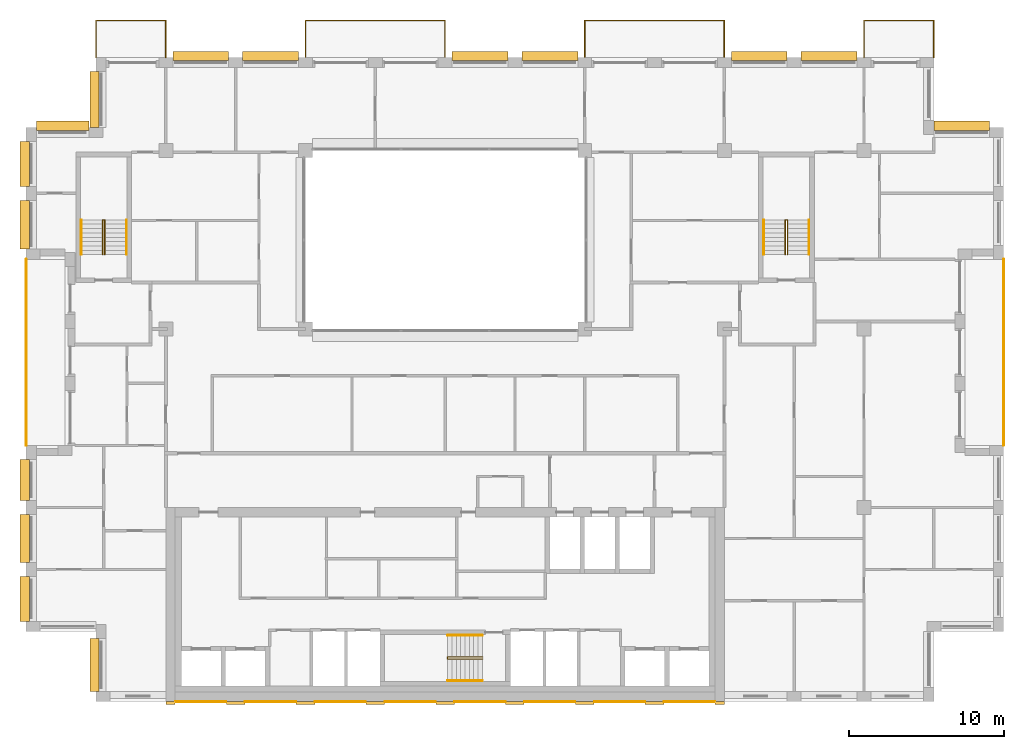
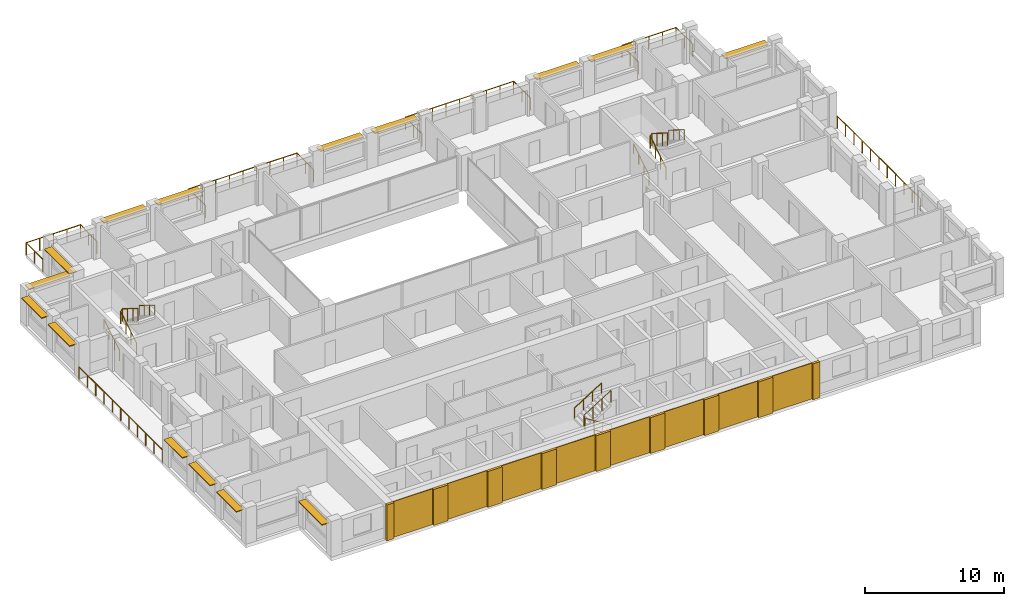
# One storey, part 15 of 15: 17 coverings, 15 railings, 15 shading devices.
"""IFC4 building model written with IfcOpenShell, lengths in metres."""

from ifc_helpers import new_model, si_unit, direction, frame, origin, origin_2d, place, context, subcontext, project, spatial, rectangle, circle, extrude, material, layer, layer_set, type_object, element, save


model = new_model("IFC4")

# Units and contexts
model_context = context("Model", 3, precision=1e-05, world=origin(), true_north=direction((0.0, 1.0)))
body_context = subcontext(model_context, "Body", "Model", "MODEL_VIEW")
ifc_project = project(units=[si_unit("LENGTHUNIT", "METRE"), si_unit("AREAUNIT", "SQUARE_METRE"), si_unit("VOLUMEUNIT", "CUBIC_METRE"), si_unit("PLANEANGLEUNIT", "RADIAN"), si_unit("MASSUNIT", "GRAM", prefix="KILO")], contexts=[model_context])

# Site, building, storey
site_placement = place(None, origin())
site = spatial("IfcSite", under=ifc_project, at=site_placement, CompositionType="ELEMENT")
building_placement = place(site_placement, origin())
building = spatial("IfcBuilding", under=site, at=building_placement, Name="Brigalow Station Residences", CompositionType="ELEMENT")
storey_placement = place(building_placement, frame((0.0, 0.0, 223.199951171875)))
storey = spatial("IfcBuildingStorey", under=building, at=storey_placement, Name="L64", CompositionType="ELEMENT", Elevation=223.199951171875)

# Railings
ifc_material_1 = material(Name="Stainless steel balustrade with laminated glass infill", Category="steel")
railing_type_1 = type_object("IfcRailingType", Name="BALCONY GUARD 1100", PredefinedType="GUARDRAIL", material=ifc_material_1)
railing_1_placement = place(storey_placement, frame((72.0, 16.5, -0.0400390625)))
element("IfcRailing", 1, at=railing_1_placement, inside=storey, type_object=railing_type_1, Name="L64/balcony-guard/1", PredefinedType="GUARDRAIL", context=body_context, shape_type="SweptSolid", body=[
    extrude(circle(Radius=0.02392578125, at=origin_2d()), frame((0.0, 0.0, 1.076171875), z_axis=(0.0, 1.0, 0.0), x_axis=(-1.0, 0.0, 0.0)), (0.0, 0.0, 1.0), 12.0),
    extrude(circle(Radius=0.02099609375, at=origin_2d()), origin(), (0.0, 0.0, 1.0), 1.052001953125),
    extrude(circle(Radius=0.02099609375, at=origin_2d()), frame((0.0, 1.199951171875, 0.0)), (0.0, 0.0, 1.0), 1.052001953125),
    extrude(circle(Radius=0.02099609375, at=origin_2d()), frame((0.0, 2.39990234375, 0.0)), (0.0, 0.0, 1.0), 1.052001953125),
    extrude(circle(Radius=0.02099609375, at=origin_2d()), frame((0.0, 3.60009765625, 0.0)), (0.0, 0.0, 1.0), 1.052001953125),
    extrude(circle(Radius=0.02099609375, at=origin_2d()), frame((0.0, 4.800048828125, 0.0)), (0.0, 0.0, 1.0), 1.052001953125),
    extrude(circle(Radius=0.02099609375, at=origin_2d()), frame((0.0, 6.0, 0.0)), (0.0, 0.0, 1.0), 1.052001953125),
    extrude(circle(Radius=0.02099609375, at=origin_2d()), frame((0.0, 7.199951171875, 0.0)), (0.0, 0.0, 1.0), 1.052001953125),
    extrude(circle(Radius=0.02099609375, at=origin_2d()), frame((0.0, 8.39990234375, 0.0)), (0.0, 0.0, 1.0), 1.052001953125),
    extrude(circle(Radius=0.02099609375, at=origin_2d()), frame((0.0, 9.60009765625, 0.0)), (0.0, 0.0, 1.0), 1.052001953125),
    extrude(circle(Radius=0.02099609375, at=origin_2d()), frame((0.0, 10.800048828125, 0.0)), (0.0, 0.0, 1.0), 1.052001953125),
    extrude(circle(Radius=0.02099609375, at=origin_2d()), frame((0.0, 12.0, 0.0)), (0.0, 0.0, 1.0), 1.052001953125),
])
railing_2_placement = place(storey_placement, frame((67.5, 41.5, -0.0400390625)))
element("IfcRailing", 2, at=railing_2_placement, inside=storey, type_object=railing_type_1, Name="L64/balcony-guard/2", PredefinedType="GUARDRAIL", context=body_context, shape_type="SweptSolid", body=[
    extrude(circle(Radius=0.02392578125, at=origin_2d()), frame((0.0, 0.0, 1.076171875), z_axis=(0.0, 1.0, 0.0), x_axis=(-1.0, 0.0, 0.0)), (0.0, 0.0, 1.0), 2.39990234375),
    extrude(circle(Radius=0.02392578125, at=origin_2d()), frame((0.0, 2.39990234375, 1.076171875), z_axis=(-1.0, 0.0, 0.0), x_axis=(0.0, -1.0, 0.0)), (0.0, 0.0, 1.0), 4.5),
    extrude(circle(Radius=0.02392578125, at=origin_2d()), frame((-4.5, 2.39990234375, 1.076171875), z_axis=(0.0, -1.0, 0.0), x_axis=(1.0, 0.0, 0.0)), (0.0, 0.0, 1.0), 2.39990234375),
    extrude(circle(Radius=0.02099609375, at=origin_2d()), origin(), (0.0, 0.0, 1.0), 1.052001953125),
    extrude(circle(Radius=0.02099609375, at=origin_2d()), frame((0.0, 1.199951171875, 0.0)), (0.0, 0.0, 1.0), 1.052001953125),
    extrude(circle(Radius=0.02099609375, at=origin_2d()), frame((0.0, 2.39990234375, 0.0)), (0.0, 0.0, 1.0), 1.052001953125),
    extrude(circle(Radius=0.02099609375, at=origin_2d()), frame((-1.125, 2.39990234375, 0.0)), (0.0, 0.0, 1.0), 1.052001953125),
    extrude(circle(Radius=0.02099609375, at=origin_2d()), frame((-2.25, 2.39990234375, 0.0)), (0.0, 0.0, 1.0), 1.052001953125),
    extrude(circle(Radius=0.02099609375, at=origin_2d()), frame((-3.375, 2.39990234375, 0.0)), (0.0, 0.0, 1.0), 1.052001953125),
    extrude(circle(Radius=0.02099609375, at=origin_2d()), frame((-4.5, 2.39990234375, 0.0)), (0.0, 0.0, 1.0), 1.052001953125),
    extrude(circle(Radius=0.02099609375, at=origin_2d()), frame((-4.5, 1.199951171875, 0.0)), (0.0, 0.0, 1.0), 1.052001953125),
    extrude(circle(Radius=0.02099609375, at=origin_2d()), frame((-4.5, 0.0, 0.0)), (0.0, 0.0, 1.0), 1.052001953125),
])
railing_3_placement = place(storey_placement, frame((54.0, 41.5, -0.0400390625)))
element("IfcRailing", 3, at=railing_3_placement, inside=storey, type_object=railing_type_1, Name="L64/balcony-guard/3", PredefinedType="GUARDRAIL", context=body_context, shape_type="SweptSolid", body=[
    extrude(circle(Radius=0.02392578125, at=origin_2d()), frame((0.0, 0.0, 1.076171875), z_axis=(0.0, 1.0, 0.0), x_axis=(-1.0, 0.0, 0.0)), (0.0, 0.0, 1.0), 2.39990234375),
    extrude(circle(Radius=0.02392578125, at=origin_2d()), frame((0.0, 2.39990234375, 1.076171875), z_axis=(-1.0, 0.0, 0.0), x_axis=(0.0, -1.0, 0.0)), (0.0, 0.0, 1.0), 9.0),
    extrude(circle(Radius=0.02392578125, at=origin_2d()), frame((-9.0, 2.39990234375, 1.076171875), z_axis=(0.0, -1.0, 0.0), x_axis=(1.0, 0.0, 0.0)), (0.0, 0.0, 1.0), 2.39990234375),
    extrude(circle(Radius=0.02099609375, at=origin_2d()), origin(), (0.0, 0.0, 1.0), 1.052001953125),
    extrude(circle(Radius=0.02099609375, at=origin_2d()), frame((0.0, 1.199951171875, 0.0)), (0.0, 0.0, 1.0), 1.052001953125),
    extrude(circle(Radius=0.02099609375, at=origin_2d()), frame((0.0, 2.39990234375, 0.0)), (0.0, 0.0, 1.0), 1.052001953125),
    extrude(circle(Radius=0.02099609375, at=origin_2d()), frame((-1.125, 2.39990234375, 0.0)), (0.0, 0.0, 1.0), 1.052001953125),
    extrude(circle(Radius=0.02099609375, at=origin_2d()), frame((-2.25, 2.39990234375, 0.0)), (0.0, 0.0, 1.0), 1.052001953125),
    extrude(circle(Radius=0.02099609375, at=origin_2d()), frame((-3.375, 2.39990234375, 0.0)), (0.0, 0.0, 1.0), 1.052001953125),
    extrude(circle(Radius=0.02099609375, at=origin_2d()), frame((-4.5, 2.39990234375, 0.0)), (0.0, 0.0, 1.0), 1.052001953125),
    extrude(circle(Radius=0.02099609375, at=origin_2d()), frame((-5.625, 2.39990234375, 0.0)), (0.0, 0.0, 1.0), 1.052001953125),
    extrude(circle(Radius=0.02099609375, at=origin_2d()), frame((-6.75, 2.39990234375, 0.0)), (0.0, 0.0, 1.0), 1.052001953125),
    extrude(circle(Radius=0.02099609375, at=origin_2d()), frame((-7.875, 2.39990234375, 0.0)), (0.0, 0.0, 1.0), 1.052001953125),
    extrude(circle(Radius=0.02099609375, at=origin_2d()), frame((-9.0, 2.39990234375, 0.0)), (0.0, 0.0, 1.0), 1.052001953125),
    extrude(circle(Radius=0.02099609375, at=origin_2d()), frame((-9.0, 1.199951171875, 0.0)), (0.0, 0.0, 1.0), 1.052001953125),
    extrude(circle(Radius=0.02099609375, at=origin_2d()), frame((-9.0, 0.0, 0.0)), (0.0, 0.0, 1.0), 1.052001953125),
])
railing_4_placement = place(storey_placement, frame((36.0, 41.5, -0.0400390625)))
element("IfcRailing", 4, at=railing_4_placement, inside=storey, type_object=railing_type_1, Name="L64/balcony-guard/4", PredefinedType="GUARDRAIL", context=body_context, shape_type="SweptSolid", body=[
    extrude(circle(Radius=0.02392578125, at=origin_2d()), frame((0.0, 0.0, 1.076171875), z_axis=(0.0, 1.0, 0.0), x_axis=(-1.0, 0.0, 0.0)), (0.0, 0.0, 1.0), 2.39990234375),
    extrude(circle(Radius=0.02392578125, at=origin_2d()), frame((0.0, 2.39990234375, 1.076171875), z_axis=(-1.0, 0.0, 0.0), x_axis=(0.0, -1.0, 0.0)), (0.0, 0.0, 1.0), 9.0),
    extrude(circle(Radius=0.02392578125, at=origin_2d()), frame((-9.0, 2.39990234375, 1.076171875), z_axis=(0.0, -1.0, 0.0), x_axis=(1.0, 0.0, 0.0)), (0.0, 0.0, 1.0), 2.39990234375),
    extrude(circle(Radius=0.02099609375, at=origin_2d()), origin(), (0.0, 0.0, 1.0), 1.052001953125),
    extrude(circle(Radius=0.02099609375, at=origin_2d()), frame((0.0, 1.199951171875, 0.0)), (0.0, 0.0, 1.0), 1.052001953125),
    extrude(circle(Radius=0.02099609375, at=origin_2d()), frame((0.0, 2.39990234375, 0.0)), (0.0, 0.0, 1.0), 1.052001953125),
    extrude(circle(Radius=0.02099609375, at=origin_2d()), frame((-1.125, 2.39990234375, 0.0)), (0.0, 0.0, 1.0), 1.052001953125),
    extrude(circle(Radius=0.02099609375, at=origin_2d()), frame((-2.25, 2.39990234375, 0.0)), (0.0, 0.0, 1.0), 1.052001953125),
    extrude(circle(Radius=0.02099609375, at=origin_2d()), frame((-3.375, 2.39990234375, 0.0)), (0.0, 0.0, 1.0), 1.052001953125),
    extrude(circle(Radius=0.02099609375, at=origin_2d()), frame((-4.5, 2.39990234375, 0.0)), (0.0, 0.0, 1.0), 1.052001953125),
    extrude(circle(Radius=0.02099609375, at=origin_2d()), frame((-5.625, 2.39990234375, 0.0)), (0.0, 0.0, 1.0), 1.052001953125),
    extrude(circle(Radius=0.02099609375, at=origin_2d()), frame((-6.75, 2.39990234375, 0.0)), (0.0, 0.0, 1.0), 1.052001953125),
    extrude(circle(Radius=0.02099609375, at=origin_2d()), frame((-7.875, 2.39990234375, 0.0)), (0.0, 0.0, 1.0), 1.052001953125),
    extrude(circle(Radius=0.02099609375, at=origin_2d()), frame((-9.0, 2.39990234375, 0.0)), (0.0, 0.0, 1.0), 1.052001953125),
    extrude(circle(Radius=0.02099609375, at=origin_2d()), frame((-9.0, 1.199951171875, 0.0)), (0.0, 0.0, 1.0), 1.052001953125),
    extrude(circle(Radius=0.02099609375, at=origin_2d()), frame((-9.0, 0.0, 0.0)), (0.0, 0.0, 1.0), 1.052001953125),
])
railing_5_placement = place(storey_placement, frame((18.0, 41.5, -0.0400390625)))
element("IfcRailing", 5, at=railing_5_placement, inside=storey, type_object=railing_type_1, Name="L64/balcony-guard/5", PredefinedType="GUARDRAIL", context=body_context, shape_type="SweptSolid", body=[
    extrude(circle(Radius=0.02392578125, at=origin_2d()), frame((0.0, 0.0, 1.076171875), z_axis=(0.0, 1.0, 0.0), x_axis=(-1.0, 0.0, 0.0)), (0.0, 0.0, 1.0), 2.39990234375),
    extrude(circle(Radius=0.02392578125, at=origin_2d()), frame((0.0, 2.39990234375, 1.076171875), z_axis=(-1.0, 0.0, 0.0), x_axis=(0.0, -1.0, 0.0)), (0.0, 0.0, 1.0), 4.5),
    extrude(circle(Radius=0.02392578125, at=origin_2d()), frame((-4.5, 2.39990234375, 1.076171875), z_axis=(0.0, -1.0, 0.0), x_axis=(1.0, 0.0, 0.0)), (0.0, 0.0, 1.0), 2.39990234375),
    extrude(circle(Radius=0.02099609375, at=origin_2d()), origin(), (0.0, 0.0, 1.0), 1.052001953125),
    extrude(circle(Radius=0.02099609375, at=origin_2d()), frame((0.0, 1.199951171875, 0.0)), (0.0, 0.0, 1.0), 1.052001953125),
    extrude(circle(Radius=0.02099609375, at=origin_2d()), frame((0.0, 2.39990234375, 0.0)), (0.0, 0.0, 1.0), 1.052001953125),
    extrude(circle(Radius=0.02099609375, at=origin_2d()), frame((-1.125, 2.39990234375, 0.0)), (0.0, 0.0, 1.0), 1.052001953125),
    extrude(circle(Radius=0.02099609375, at=origin_2d()), frame((-2.25, 2.39990234375, 0.0)), (0.0, 0.0, 1.0), 1.052001953125),
    extrude(circle(Radius=0.02099609375, at=origin_2d()), frame((-3.375, 2.39990234375, 0.0)), (0.0, 0.0, 1.0), 1.052001953125),
    extrude(circle(Radius=0.02099609375, at=origin_2d()), frame((-4.5, 2.39990234375, 0.0)), (0.0, 0.0, 1.0), 1.052001953125),
    extrude(circle(Radius=0.02099609375, at=origin_2d()), frame((-4.5, 1.199951171875, 0.0)), (0.0, 0.0, 1.0), 1.052001953125),
    extrude(circle(Radius=0.02099609375, at=origin_2d()), frame((-4.5, 0.0, 0.0)), (0.0, 0.0, 1.0), 1.052001953125),
])
railing_6_placement = place(storey_placement, frame((9.0, 28.5, -0.0400390625)))
element("IfcRailing", 6, at=railing_6_placement, inside=storey, type_object=railing_type_1, Name="L64/balcony-guard/6", PredefinedType="GUARDRAIL", context=body_context, shape_type="SweptSolid", body=[
    extrude(circle(Radius=0.02392578125, at=origin_2d()), frame((0.0, 0.0, 1.076171875), z_axis=(0.0, -1.0, 0.0), x_axis=(1.0, 0.0, 0.0)), (0.0, 0.0, 1.0), 12.0),
    extrude(circle(Radius=0.02099609375, at=origin_2d()), origin(), (0.0, 0.0, 1.0), 1.052001953125),
    extrude(circle(Radius=0.02099609375, at=origin_2d()), frame((0.0, -1.199951171875, 0.0)), (0.0, 0.0, 1.0), 1.052001953125),
    extrude(circle(Radius=0.02099609375, at=origin_2d()), frame((0.0, -2.39990234375, 0.0)), (0.0, 0.0, 1.0), 1.052001953125),
    extrude(circle(Radius=0.02099609375, at=origin_2d()), frame((0.0, -3.60009765625, 0.0)), (0.0, 0.0, 1.0), 1.052001953125),
    extrude(circle(Radius=0.02099609375, at=origin_2d()), frame((0.0, -4.800048828125, 0.0)), (0.0, 0.0, 1.0), 1.052001953125),
    extrude(circle(Radius=0.02099609375, at=origin_2d()), frame((0.0, -6.0, 0.0)), (0.0, 0.0, 1.0), 1.052001953125),
    extrude(circle(Radius=0.02099609375, at=origin_2d()), frame((0.0, -7.199951171875, 0.0)), (0.0, 0.0, 1.0), 1.052001953125),
    extrude(circle(Radius=0.02099609375, at=origin_2d()), frame((0.0, -8.39990234375, 0.0)), (0.0, 0.0, 1.0), 1.052001953125),
    extrude(circle(Radius=0.02099609375, at=origin_2d()), frame((0.0, -9.60009765625, 0.0)), (0.0, 0.0, 1.0), 1.052001953125),
    extrude(circle(Radius=0.02099609375, at=origin_2d()), frame((0.0, -10.800048828125, 0.0)), (0.0, 0.0, 1.0), 1.052001953125),
    extrude(circle(Radius=0.02099609375, at=origin_2d()), frame((0.0, -12.0, 0.0)), (0.0, 0.0, 1.0), 1.052001953125),
])

# Coverings
ifc_material_2 = material(Name="Clay brick masonry", Category="masonry")
ifc_layer_1 = layer(ifc_material_2, 0.06005859375)
ifc_layer_set_1 = layer_set([ifc_layer_1], Name="BRICK PANEL FACING 60")
covering_type_1 = type_object("IfcCoveringType", Name="BRICK PANEL FACING 60", PredefinedType="CLADDING", material=ifc_layer_set_1)
for number, where, z_axis, x_axis, name in (
    (7, (20.25, -0.030029296875, 0.0), (0.0, 0.0, 1.0), (1.0, 0.0, 0.0), "L64/rear-facing/panel-1"),
    (8, (24.75, -0.030029296875, 0.0), (0.0, 0.0, 1.0), (1.0, 0.0, 0.0), "L64/rear-facing/panel-2"),
    (9, (29.25, -0.030029296875, 0.0), (0.0, 0.0, 1.0), (1.0, 0.0, 0.0), "L64/rear-facing/panel-3"),
    (10, (33.75, -0.030029296875, 0.0), (0.0, 0.0, 1.0), (1.0, 0.0, 0.0), "L64/rear-facing/panel-4"),
    (11, (38.25, -0.030029296875, 0.0), (0.0, 0.0, 1.0), (1.0, 0.0, 0.0), "L64/rear-facing/panel-5"),
    (12, (42.75, -0.030029296875, 0.0), (0.0, 0.0, 1.0), (1.0, 0.0, 0.0), "L64/rear-facing/panel-6"),
    (13, (47.25, -0.030029296875, 0.0), (0.0, 0.0, 1.0), (1.0, 0.0, 0.0), "L64/rear-facing/panel-7"),
    (14, (51.75, -0.030029296875, 0.0), (0.0, 0.0, 1.0), (1.0, 0.0, 0.0), "L64/rear-facing/panel-8"),
):
    element("IfcCovering", number, at=place(storey_placement, frame(where, z_axis=z_axis, x_axis=x_axis)), inside=storey, type_object=covering_type_1, Name=name, PredefinedType="CLADDING", context=body_context, shape_type="SweptSolid", body=[
        extrude(rectangle(XDim=3.300048828125, YDim=0.06005859375, at=origin_2d()), origin(), (0.0, 0.0, 1.0), 3.14990234375),
    ])
ifc_material_3 = material(Name="Clay brick masonry", Category="masonry")
ifc_layer_2 = layer(ifc_material_3, 0.199951171875)
ifc_layer_set_2 = layer_set([ifc_layer_2], Name="BRICK PIER FACING 200")
covering_type_2 = type_object("IfcCoveringType", Name="BRICK PIER FACING 200", PredefinedType="CLADDING", material=ifc_layer_set_2)
covering_1_placement = place(storey_placement, frame((18.300048828125, -0.10009765625, 0.0), z_axis=(0.0, 0.0, 1.0), x_axis=(1.0, 0.0, 0.0)))
element("IfcCovering", 15, at=covering_1_placement, inside=storey, type_object=covering_type_2, Name="L64/rear-facing/pier-1", PredefinedType="CLADDING", context=body_context, shape_type="SweptSolid", body=[
    extrude(rectangle(XDim=0.60009765625, YDim=0.199951171875, at=origin_2d()), origin(), (0.0, 0.0, 1.0), 3.14990234375),
])
for number, where, z_axis, x_axis, name in (
    (16, (22.5, -0.10009765625, 0.0), (0.0, 0.0, 1.0), (1.0, 0.0, 0.0), "L64/rear-facing/pier-2"),
    (17, (27.0, -0.10009765625, 0.0), (0.0, 0.0, 1.0), (1.0, 0.0, 0.0), "L64/rear-facing/pier-3"),
    (18, (31.5, -0.10009765625, 0.0), (0.0, 0.0, 1.0), (1.0, 0.0, 0.0), "L64/rear-facing/pier-4"),
    (19, (36.0, -0.10009765625, 0.0), (0.0, 0.0, 1.0), (1.0, 0.0, 0.0), "L64/rear-facing/pier-5"),
    (20, (40.5, -0.10009765625, 0.0), (0.0, 0.0, 1.0), (1.0, 0.0, 0.0), "L64/rear-facing/pier-6"),
    (21, (45.0, -0.10009765625, 0.0), (0.0, 0.0, 1.0), (1.0, 0.0, 0.0), "L64/rear-facing/pier-7"),
    (22, (49.5, -0.10009765625, 0.0), (0.0, 0.0, 1.0), (1.0, 0.0, 0.0), "L64/rear-facing/pier-8"),
):
    element("IfcCovering", number, at=place(storey_placement, frame(where, z_axis=z_axis, x_axis=x_axis)), inside=storey, type_object=covering_type_2, Name=name, PredefinedType="CLADDING", context=body_context, shape_type="SweptSolid", body=[
        extrude(rectangle(XDim=1.199951171875, YDim=0.199951171875, at=origin_2d()), origin(), (0.0, 0.0, 1.0), 3.14990234375),
    ])
covering_2_placement = place(storey_placement, frame((53.699951171875, -0.10009765625, 0.0), z_axis=(0.0, 0.0, 1.0), x_axis=(1.0, 0.0, 0.0)))
element("IfcCovering", 23, at=covering_2_placement, inside=storey, type_object=covering_type_2, Name="L64/rear-facing/pier-9", PredefinedType="CLADDING", context=body_context, shape_type="SweptSolid", body=[
    extrude(rectangle(XDim=0.60009765625, YDim=0.199951171875, at=origin_2d()), origin(), (0.0, 0.0, 1.0), 3.14990234375),
])

# Railings
ifc_material_4 = material(Name="Stainless steel balustrade", Category="steel")
railing_type_2 = type_object("IfcRailingType", Name="STAIR GUARD 1100", PredefinedType="GUARDRAIL", material=ifc_material_4)
railing_7_placement = place(storey_placement, frame((38.39990234375, 2.72998046875, 0.175048828125)))
element("IfcRailing", 24, at=railing_7_placement, inside=storey, type_object=railing_type_2, Name="GUARD GR-2", PredefinedType="GUARDRAIL", context=body_context, shape_type="SweptSolid", body=[
    extrude(circle(Radius=0.02392578125, at=origin_2d()), frame((0.0, 0.0, 1.076171875), z_axis=(-0.848013881152, 0.0, 0.529974015752), x_axis=(0.0, -1.0, 0.0)), (0.0, 0.0, 1.0), 2.641357421875),
    extrude(circle(Radius=0.02392578125, at=origin_2d()), frame((-2.239990234375, 0.0, 2.47607421875), z_axis=(0.0, 0.624960567888, 0.780656319122), x_axis=(-1.0, 0.0, 0.0)), (0.0, 0.0, 1.0), 0.22412109375),
    extrude(circle(Radius=0.02392578125, at=origin_2d()), frame((-2.239990234375, 0.14013671875, 2.65087890625), z_axis=(0.847972341737, 0.0, 0.530040477369), x_axis=(0.0, 1.0, 0.0)), (0.0, 0.0, 1.0), 2.6416015625),
    extrude(circle(Radius=0.02099609375, at=origin_2d()), origin(), (0.0, 0.0, 1.0), 1.052001953125),
    extrude(circle(Radius=0.02099609375, at=origin_2d()), frame((-0.74658203125, 0.0, 0.466552734375)), (0.0, 0.0, 1.0), 1.052001953125),
    extrude(circle(Radius=0.02099609375, at=origin_2d()), frame((-1.493408203125, 0.0, 0.933349609375)), (0.0, 0.0, 1.0), 1.052001953125),
    extrude(circle(Radius=0.02099609375, at=origin_2d()), frame((-2.239990234375, 0.0, 1.39990234375)), (0.0, 0.0, 1.0), 1.052001953125),
    extrude(circle(Radius=0.02099609375, at=origin_2d()), frame((-2.239990234375, 0.14013671875, 1.574951171875)), (0.0, 0.0, 1.0), 1.052001953125),
    extrude(circle(Radius=0.02099609375, at=origin_2d()), frame((-1.493408203125, 0.14013671875, 2.041748046875)), (0.0, 0.0, 1.0), 1.052001953125),
    extrude(circle(Radius=0.02099609375, at=origin_2d()), frame((-0.74658203125, 0.14013671875, 2.50830078125)), (0.0, 0.0, 1.0), 1.052001953125),
    extrude(circle(Radius=0.02099609375, at=origin_2d()), frame((0.0, 0.14013671875, 2.97509765625)), (0.0, 0.0, 1.0), 1.052001953125),
])
for number, where, name in (
    (25, (13.929931640625, 28.800048828125, 0.175048828125), "GUARD GR-1"),
    (26, (57.929931640625, 28.800048828125, 0.175048828125), "GUARD GR-3"),
):
    element("IfcRailing", number, at=place(storey_placement, frame(where)), inside=storey, type_object=railing_type_2, Name=name, PredefinedType="GUARDRAIL", context=body_context, shape_type="SweptSolid", body=[
        extrude(circle(Radius=0.02392578125, at=origin_2d()), frame((0.0, 0.0, 1.076171875), z_axis=(0.0, 0.848013881152, 0.529974015752), x_axis=(-1.0, 0.0, 0.0)), (0.0, 0.0, 1.0), 2.641357421875),
        extrude(circle(Radius=0.02392578125, at=origin_2d()), frame((0.0, 2.239990234375, 2.47607421875), z_axis=(0.624960567888, 0.0, 0.780656319122), x_axis=(0.0, 1.0, 0.0)), (0.0, 0.0, 1.0), 0.22412109375),
        extrude(circle(Radius=0.02392578125, at=origin_2d()), frame((0.14013671875, 2.239990234375, 2.65087890625), z_axis=(0.0, -0.847972341737, 0.530040477369), x_axis=(1.0, 0.0, 0.0)), (0.0, 0.0, 1.0), 2.6416015625),
        extrude(circle(Radius=0.02099609375, at=origin_2d()), origin(), (0.0, 0.0, 1.0), 1.052001953125),
        extrude(circle(Radius=0.02099609375, at=origin_2d()), frame((0.0, 0.74658203125, 0.466552734375)), (0.0, 0.0, 1.0), 1.052001953125),
        extrude(circle(Radius=0.02099609375, at=origin_2d()), frame((0.0, 1.493408203125, 0.933349609375)), (0.0, 0.0, 1.0), 1.052001953125),
        extrude(circle(Radius=0.02099609375, at=origin_2d()), frame((0.0, 2.239990234375, 1.39990234375)), (0.0, 0.0, 1.0), 1.052001953125),
        extrude(circle(Radius=0.02099609375, at=origin_2d()), frame((0.14013671875, 2.239990234375, 1.574951171875)), (0.0, 0.0, 1.0), 1.052001953125),
        extrude(circle(Radius=0.02099609375, at=origin_2d()), frame((0.14013671875, 1.493408203125, 2.041748046875)), (0.0, 0.0, 1.0), 1.052001953125),
        extrude(circle(Radius=0.02099609375, at=origin_2d()), frame((0.14013671875, 0.74658203125, 2.50830078125)), (0.0, 0.0, 1.0), 1.052001953125),
        extrude(circle(Radius=0.02099609375, at=origin_2d()), frame((0.14013671875, 0.0, 2.97509765625)), (0.0, 0.0, 1.0), 1.052001953125),
    ])
ifc_material_5 = material(Name="Stainless steel handrail", Category="steel")
railing_type_3 = type_object("IfcRailingType", Name="STAIR HANDRAIL 900", PredefinedType="HANDRAIL", material=ifc_material_5)
railing_8_placement = place(storey_placement, frame((38.39990234375, 1.340087890625, 0.175048828125)))
element("IfcRailing", 27, at=railing_8_placement, inside=storey, type_object=railing_type_3, Name="HANDRAIL HR-21", PredefinedType="HANDRAIL", context=body_context, shape_type="SweptSolid", body=[
    extrude(circle(Radius=0.02392578125, at=origin_2d()), frame((0.0, 0.0, 0.8759765625), z_axis=(-0.848013881152, 0.0, 0.529974015752), x_axis=(0.0, -1.0, 0.0)), (0.0, 0.0, 1.0), 2.641357421875),
    extrude(circle(Radius=0.02099609375, at=origin_2d()), origin(), (0.0, 0.0, 1.0), 0.851806640625),
    extrude(circle(Radius=0.02099609375, at=origin_2d()), frame((-0.74658203125, 0.0, 0.466552734375)), (0.0, 0.0, 1.0), 0.851806640625),
    extrude(circle(Radius=0.02099609375, at=origin_2d()), frame((-1.493408203125, 0.0, 0.933349609375)), (0.0, 0.0, 1.0), 0.851806640625),
    extrude(circle(Radius=0.02099609375, at=origin_2d()), frame((-2.239990234375, 0.0, 1.39990234375)), (0.0, 0.0, 1.0), 0.851806640625),
])
railing_9_placement = place(storey_placement, frame((36.159912109375, 4.260009765625, 1.75)))
element("IfcRailing", 28, at=railing_9_placement, inside=storey, type_object=railing_type_3, Name="HANDRAIL HR-22", PredefinedType="HANDRAIL", context=body_context, shape_type="SweptSolid", body=[
    extrude(circle(Radius=0.02392578125, at=origin_2d()), frame((0.0, 0.0, 0.8759765625), z_axis=(0.847972341737, 0.0, 0.530040477369), x_axis=(0.0, 1.0, 0.0)), (0.0, 0.0, 1.0), 2.6416015625),
    extrude(circle(Radius=0.02099609375, at=origin_2d()), origin(), (0.0, 0.0, 1.0), 0.851806640625),
    extrude(circle(Radius=0.02099609375, at=origin_2d()), frame((0.74658203125, 0.0, 0.466796875)), (0.0, 0.0, 1.0), 0.851806640625),
    extrude(circle(Radius=0.02099609375, at=origin_2d()), frame((1.493408203125, 0.0, 0.933349609375)), (0.0, 0.0, 1.0), 0.851806640625),
    extrude(circle(Radius=0.02099609375, at=origin_2d()), frame((2.239990234375, 0.0, 1.400146484375)), (0.0, 0.0, 1.0), 0.851806640625),
])
railing_10_placement = place(storey_placement, frame((12.5400390625, 28.800048828125, 0.175048828125)))
element("IfcRailing", 29, at=railing_10_placement, inside=storey, type_object=railing_type_3, Name="HANDRAIL HR-11", PredefinedType="HANDRAIL", context=body_context, shape_type="SweptSolid", body=[
    extrude(circle(Radius=0.02392578125, at=origin_2d()), frame((0.0, 0.0, 0.8759765625), z_axis=(0.0, 0.848013881152, 0.529974015752), x_axis=(-1.0, 0.0, 0.0)), (0.0, 0.0, 1.0), 2.641357421875),
    extrude(circle(Radius=0.02099609375, at=origin_2d()), origin(), (0.0, 0.0, 1.0), 0.851806640625),
    extrude(circle(Radius=0.02099609375, at=origin_2d()), frame((0.0, 0.74658203125, 0.466552734375)), (0.0, 0.0, 1.0), 0.851806640625),
    extrude(circle(Radius=0.02099609375, at=origin_2d()), frame((0.0, 1.493408203125, 0.933349609375)), (0.0, 0.0, 1.0), 0.851806640625),
    extrude(circle(Radius=0.02099609375, at=origin_2d()), frame((0.0, 2.239990234375, 1.39990234375)), (0.0, 0.0, 1.0), 0.851806640625),
])
railing_11_placement = place(storey_placement, frame((15.4599609375, 31.0400390625, 1.75)))
element("IfcRailing", 30, at=railing_11_placement, inside=storey, type_object=railing_type_3, Name="HANDRAIL HR-12", PredefinedType="HANDRAIL", context=body_context, shape_type="SweptSolid", body=[
    extrude(circle(Radius=0.02392578125, at=origin_2d()), frame((0.0, 0.0, 0.8759765625), z_axis=(0.0, -0.847972341737, 0.530040477369), x_axis=(1.0, 0.0, 0.0)), (0.0, 0.0, 1.0), 2.6416015625),
    extrude(circle(Radius=0.02099609375, at=origin_2d()), origin(), (0.0, 0.0, 1.0), 0.851806640625),
    extrude(circle(Radius=0.02099609375, at=origin_2d()), frame((0.0, -0.74658203125, 0.466796875)), (0.0, 0.0, 1.0), 0.851806640625),
    extrude(circle(Radius=0.02099609375, at=origin_2d()), frame((0.0, -1.493408203125, 0.933349609375)), (0.0, 0.0, 1.0), 0.851806640625),
    extrude(circle(Radius=0.02099609375, at=origin_2d()), frame((0.0, -2.239990234375, 1.400146484375)), (0.0, 0.0, 1.0), 0.851806640625),
])
railing_12_placement = place(storey_placement, frame((56.5400390625, 28.800048828125, 0.175048828125)))
element("IfcRailing", 31, at=railing_12_placement, inside=storey, type_object=railing_type_3, Name="HANDRAIL HR-31", PredefinedType="HANDRAIL", context=body_context, shape_type="SweptSolid", body=[
    extrude(circle(Radius=0.02392578125, at=origin_2d()), frame((0.0, 0.0, 0.8759765625), z_axis=(0.0, 0.848013881152, 0.529974015752), x_axis=(-1.0, 0.0, 0.0)), (0.0, 0.0, 1.0), 2.641357421875),
    extrude(circle(Radius=0.02099609375, at=origin_2d()), origin(), (0.0, 0.0, 1.0), 0.851806640625),
    extrude(circle(Radius=0.02099609375, at=origin_2d()), frame((0.0, 0.74658203125, 0.466552734375)), (0.0, 0.0, 1.0), 0.851806640625),
    extrude(circle(Radius=0.02099609375, at=origin_2d()), frame((0.0, 1.493408203125, 0.933349609375)), (0.0, 0.0, 1.0), 0.851806640625),
    extrude(circle(Radius=0.02099609375, at=origin_2d()), frame((0.0, 2.239990234375, 1.39990234375)), (0.0, 0.0, 1.0), 0.851806640625),
])
railing_13_placement = place(storey_placement, frame((59.4599609375, 31.0400390625, 1.75)))
element("IfcRailing", 32, at=railing_13_placement, inside=storey, type_object=railing_type_3, Name="HANDRAIL HR-32", PredefinedType="HANDRAIL", context=body_context, shape_type="SweptSolid", body=[
    extrude(circle(Radius=0.02392578125, at=origin_2d()), frame((0.0, 0.0, 0.8759765625), z_axis=(0.0, -0.847972341737, 0.530040477369), x_axis=(1.0, 0.0, 0.0)), (0.0, 0.0, 1.0), 2.6416015625),
    extrude(circle(Radius=0.02099609375, at=origin_2d()), origin(), (0.0, 0.0, 1.0), 0.851806640625),
    extrude(circle(Radius=0.02099609375, at=origin_2d()), frame((0.0, -0.74658203125, 0.466796875)), (0.0, 0.0, 1.0), 0.851806640625),
    extrude(circle(Radius=0.02099609375, at=origin_2d()), frame((0.0, -1.493408203125, 0.933349609375)), (0.0, 0.0, 1.0), 0.851806640625),
    extrude(circle(Radius=0.02099609375, at=origin_2d()), frame((0.0, -2.239990234375, 1.400146484375)), (0.0, 0.0, 1.0), 0.851806640625),
])

# Shading devices
ifc_material_6 = material(Name="Powder-coated extruded aluminium blade", Category="aluminium")
ifc_layer_3 = layer(ifc_material_6, 0.080078125)
ifc_layer_set_3 = layer_set([ifc_layer_3], Name="SUNSHADE BLADE 600x80")
shading_device_type = type_object("IfcShadingDeviceType", Name="SUNSHADE BLADE 600x80", PredefinedType="JALOUSIE", material=ifc_layer_set_3)
for number, where, z_axis, x_axis, name in (
    (33, (69.300048828125, 37.10009765625, 2.550048828125), (0.0, 0.0, 1.0), (-1.0, 0.0, 0.0), "L64/blade/W-L64-18"),
    (34, (60.75, 41.60009765625, 2.550048828125), (0.0, 0.0, 1.0), (-1.0, 0.0, 0.0), "L64/blade/W-L64-21"),
    (35, (56.25, 41.60009765625, 2.550048828125), (0.0, 0.0, 1.0), (-1.0, 0.0, 0.0), "L64/blade/W-L64-22"),
    (36, (42.75, 41.60009765625, 2.550048828125), (0.0, 0.0, 1.0), (-1.0, 0.0, 0.0), "L64/blade/W-L64-25"),
    (37, (38.25, 41.60009765625, 2.550048828125), (0.0, 0.0, 1.0), (-1.0, 0.0, 0.0), "L64/blade/W-L64-26"),
    (38, (24.75, 41.60009765625, 2.550048828125), (0.0, 0.0, 1.0), (-1.0, 0.0, 0.0), "L64/blade/W-L64-29"),
    (39, (20.25, 41.60009765625, 2.550048828125), (0.0, 0.0, 1.0), (-1.0, 0.0, 0.0), "L64/blade/W-L64-30"),
    (40, (13.39990234375, 38.800048828125, 2.550048828125), (0.0, 0.0, 1.0), (0.0, -1.0, 0.0), "L64/blade/W-L64-32"),
):
    element("IfcShadingDevice", number, at=place(storey_placement, frame(where, z_axis=z_axis, x_axis=x_axis)), inside=storey, type_object=shading_device_type, Name=name, PredefinedType="JALOUSIE", context=body_context, shape_type="SweptSolid", body=[
        extrude(rectangle(XDim=3.60009765625, YDim=0.60009765625, at=origin_2d()), origin(), (0.0, 0.0, 1.0), 0.080078125),
    ])
shading_device_1_placement = place(storey_placement, frame((11.35009765625, 37.10009765625, 2.550048828125), z_axis=(0.0, 0.0, 1.0), x_axis=(-1.0, 0.0, 0.0)))
element("IfcShadingDevice", 41, at=shading_device_1_placement, inside=storey, type_object=shading_device_type, Name="L64/blade/W-L64-33", PredefinedType="JALOUSIE", context=body_context, shape_type="SweptSolid", body=[
    extrude(rectangle(XDim=3.39990234375, YDim=0.60009765625, at=origin_2d()), origin(), (0.0, 0.0, 1.0), 0.080078125),
])
shading_device_2_placement = place(storey_placement, frame((8.89990234375, 34.64990234375, 2.550048828125), z_axis=(0.0, 0.0, 1.0), x_axis=(0.0, -1.0, 0.0)))
element("IfcShadingDevice", 42, at=shading_device_2_placement, inside=storey, type_object=shading_device_type, Name="L64/blade/W-L64-34", PredefinedType="JALOUSIE", context=body_context, shape_type="SweptSolid", body=[
    extrude(rectangle(XDim=2.89990234375, YDim=0.60009765625, at=origin_2d()), origin(), (0.0, 0.0, 1.0), 0.080078125),
])
shading_device_3_placement = place(storey_placement, frame((8.89990234375, 30.72509765625, 2.550048828125), z_axis=(0.0, 0.0, 1.0), x_axis=(0.0, -1.0, 0.0)))
element("IfcShadingDevice", 43, at=shading_device_3_placement, inside=storey, type_object=shading_device_type, Name="L64/blade/W-L64-35", PredefinedType="JALOUSIE", context=body_context, shape_type="SweptSolid", body=[
    extrude(rectangle(XDim=3.14990234375, YDim=0.60009765625, at=origin_2d()), origin(), (0.0, 0.0, 1.0), 0.080078125),
])
shading_device_4_placement = place(storey_placement, frame((8.89990234375, 14.27490234375, 2.550048828125), z_axis=(0.0, 0.0, 1.0), x_axis=(0.0, -1.0, 0.0)))
element("IfcShadingDevice", 44, at=shading_device_4_placement, inside=storey, type_object=shading_device_type, Name="L64/blade/W-L64-41", PredefinedType="JALOUSIE", context=body_context, shape_type="SweptSolid", body=[
    extrude(rectangle(XDim=2.64990234375, YDim=0.60009765625, at=origin_2d()), origin(), (0.0, 0.0, 1.0), 0.080078125),
])
shading_device_5_placement = place(storey_placement, frame((8.89990234375, 10.5, 2.550048828125), z_axis=(0.0, 0.0, 1.0), x_axis=(0.0, -1.0, 0.0)))
element("IfcShadingDevice", 45, at=shading_device_5_placement, inside=storey, type_object=shading_device_type, Name="L64/blade/W-L64-42", PredefinedType="JALOUSIE", context=body_context, shape_type="SweptSolid", body=[
    extrude(rectangle(XDim=3.10009765625, YDim=0.60009765625, at=origin_2d()), origin(), (0.0, 0.0, 1.0), 0.080078125),
])
shading_device_6_placement = place(storey_placement, frame((8.89990234375, 6.60009765625, 2.550048828125), z_axis=(0.0, 0.0, 1.0), x_axis=(0.0, -1.0, 0.0)))
element("IfcShadingDevice", 46, at=shading_device_6_placement, inside=storey, type_object=shading_device_type, Name="L64/blade/W-L64-43", PredefinedType="JALOUSIE", context=body_context, shape_type="SweptSolid", body=[
    extrude(rectangle(XDim=2.89990234375, YDim=0.60009765625, at=origin_2d()), origin(), (0.0, 0.0, 1.0), 0.080078125),
])
shading_device_7_placement = place(storey_placement, frame((13.39990234375, 2.35009765625, 2.550048828125), z_axis=(0.0, 0.0, 1.0), x_axis=(0.0, -1.0, 0.0)))
element("IfcShadingDevice", 47, at=shading_device_7_placement, inside=storey, type_object=shading_device_type, Name="L64/blade/W-L64-45", PredefinedType="JALOUSIE", context=body_context, shape_type="SweptSolid", body=[
    extrude(rectangle(XDim=3.39990234375, YDim=0.60009765625, at=origin_2d()), origin(), (0.0, 0.0, 1.0), 0.080078125),
])

save(model, "model.ifc")
